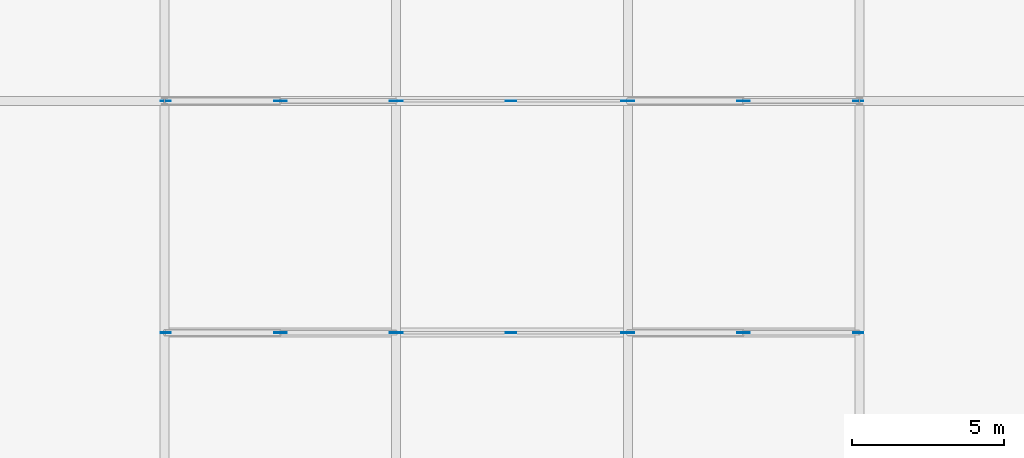
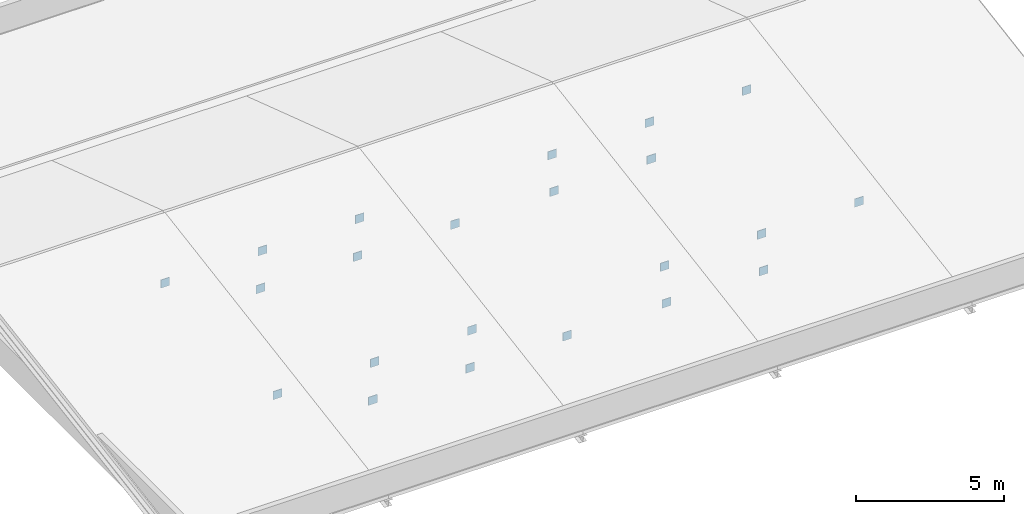
# One storey, part 57 of 65: 22 discrete accessories.
"""IFC4 building model written with IfcOpenShell, lengths in metres."""

from ifc_helpers import new_model, si_unit, direction, frame, origin, origin_2d, place, context, subcontext, project, spatial, rectangle, extrude, material, type_object, element, save


model = new_model("IFC4")

# Units and contexts
model_context = context("Model", 3, precision=1e-05, world=origin(), true_north=direction((0.0, 1.0)))
body_context = subcontext(model_context, "Body", "Model", "MODEL_VIEW")
ifc_project = project(units=[si_unit("LENGTHUNIT", "METRE"), si_unit("AREAUNIT", "SQUARE_METRE"), si_unit("VOLUMEUNIT", "CUBIC_METRE"), si_unit("PLANEANGLEUNIT", "RADIAN"), si_unit("MASSUNIT", "GRAM", prefix="KILO")], contexts=[model_context])

# Site, building, storey
site_placement = place(None, origin())
site = spatial("IfcSite", under=ifc_project, at=site_placement, CompositionType="ELEMENT")
building_placement = place(site_placement, origin())
building = spatial("IfcBuilding", under=site, at=building_placement, Name="Montecoro Central Library", CompositionType="ELEMENT")
storey_placement = place(building_placement, frame((0.0, 0.0, 17.340087890625)))
storey = spatial("IfcBuildingStorey", under=building, at=storey_placement, Name="L04", CompositionType="ELEMENT", Elevation=17.340087890625)

# Discrete accessories
ifc_material = material(Name="Steel S355", Category="steel")
discrete_accessory_type = type_object("IfcDiscreteAccessoryType", Name="GUSSET-PLT-01", PredefinedType="BRACKET", material=ifc_material)
for number, where, z_axis, x_axis, name in (
    (1, (12.64208984375, 88.60009765625, -0.6201171875), (0.0, 0.0, 1.0), (1.0, 0.0, 0.0), "V4-TR-M-D1-GPA"),
    (2, (16.365966796875, 88.60009765625, -2.16015625), (0.0, 0.0, 1.0), (1.0, 0.0, 0.0), "V4-TR-M-D1-GPB"),
    (3, (16.43994140625, 88.60009765625, -0.6201171875), (0.0, 0.0, 1.0), (1.0, 0.0, 0.0), "V4-TR-M-D2-GPA"),
    (4, (20.1650390625, 88.60009765625, -2.16015625), (0.0, 0.0, 1.0), (1.0, 0.0, 0.0), "V4-TR-M-D2-GPB"),
    (5, (20.239013671875, 88.60009765625, -0.6201171875), (0.0, 0.0, 1.0), (1.0, 0.0, 0.0), "V4-TR-M-D3-GPA"),
    (6, (23.962890625, 88.60009765625, -2.16015625), (0.0, 0.0, 1.0), (1.0, 0.0, 0.0), "V4-TR-M-D3-GPB"),
    (7, (27.760986328125, 88.60009765625, -0.6201171875), (0.0, 0.0, 1.0), (1.0, 0.0, 0.0), "V4-TR-M-D4-GPB"),
    (8, (27.8349609375, 88.60009765625, -2.16015625), (0.0, 0.0, 1.0), (1.0, 0.0, 0.0), "V4-TR-M-D5-GPA"),
    (9, (31.56005859375, 88.60009765625, -0.6201171875), (0.0, 0.0, 1.0), (1.0, 0.0, 0.0), "V4-TR-M-D5-GPB"),
    (10, (31.634033203125, 88.60009765625, -2.16015625), (0.0, 0.0, 1.0), (1.0, 0.0, 0.0), "V4-TR-M-D6-GPA"),
    (11, (35.35791015625, 88.60009765625, -0.6201171875), (0.0, 0.0, 1.0), (1.0, 0.0, 0.0), "V4-TR-M-D6-GPB"),
    (12, (12.64208984375, 96.199951171875, -0.6201171875), (0.0, 0.0, 1.0), (1.0, 0.0, 0.0), "V4-TR-N-D1-GPA"),
    (13, (16.365966796875, 96.199951171875, -2.16015625), (0.0, 0.0, 1.0), (1.0, 0.0, 0.0), "V4-TR-N-D1-GPB"),
    (14, (16.43994140625, 96.199951171875, -0.6201171875), (0.0, 0.0, 1.0), (1.0, 0.0, 0.0), "V4-TR-N-D2-GPA"),
    (15, (20.1650390625, 96.199951171875, -2.16015625), (0.0, 0.0, 1.0), (1.0, 0.0, 0.0), "V4-TR-N-D2-GPB"),
    (16, (20.239013671875, 96.199951171875, -0.6201171875), (0.0, 0.0, 1.0), (1.0, 0.0, 0.0), "V4-TR-N-D3-GPA"),
    (17, (23.962890625, 96.199951171875, -2.16015625), (0.0, 0.0, 1.0), (1.0, 0.0, 0.0), "V4-TR-N-D3-GPB"),
    (18, (27.760986328125, 96.199951171875, -0.6201171875), (0.0, 0.0, 1.0), (1.0, 0.0, 0.0), "V4-TR-N-D4-GPB"),
    (19, (27.8349609375, 96.199951171875, -2.16015625), (0.0, 0.0, 1.0), (1.0, 0.0, 0.0), "V4-TR-N-D5-GPA"),
    (20, (31.56005859375, 96.199951171875, -0.6201171875), (0.0, 0.0, 1.0), (1.0, 0.0, 0.0), "V4-TR-N-D5-GPB"),
    (21, (31.634033203125, 96.199951171875, -2.16015625), (0.0, 0.0, 1.0), (1.0, 0.0, 0.0), "V4-TR-N-D6-GPA"),
    (22, (35.35791015625, 96.199951171875, -0.6201171875), (0.0, 0.0, 1.0), (1.0, 0.0, 0.0), "V4-TR-N-D6-GPB"),
):
    element("IfcDiscreteAccessory", number, at=place(storey_placement, frame(where, z_axis=z_axis, x_axis=x_axis)), inside=storey, type_object=discrete_accessory_type, Name=name, PredefinedType="BRACKET", context=body_context, shape_type="SweptSolid", body=[
        extrude(rectangle(XDim=0.340087890625, YDim=0.02392578125, at=origin_2d()), origin(), (0.0, 0.0, 1.0), 0.340087890625),
    ])

save(model, "model.ifc")
